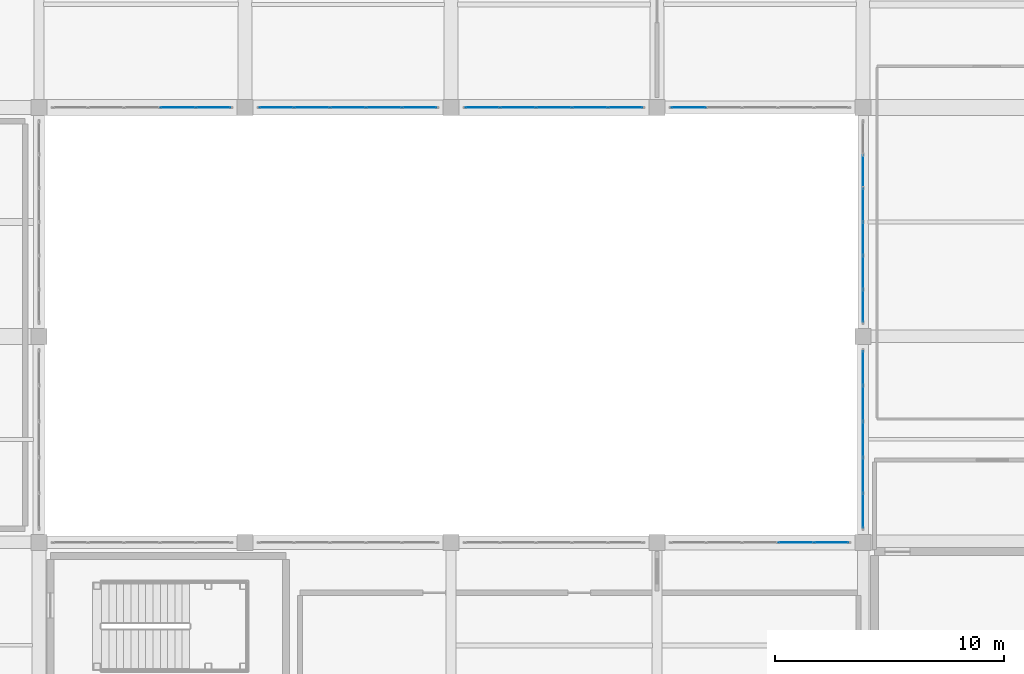
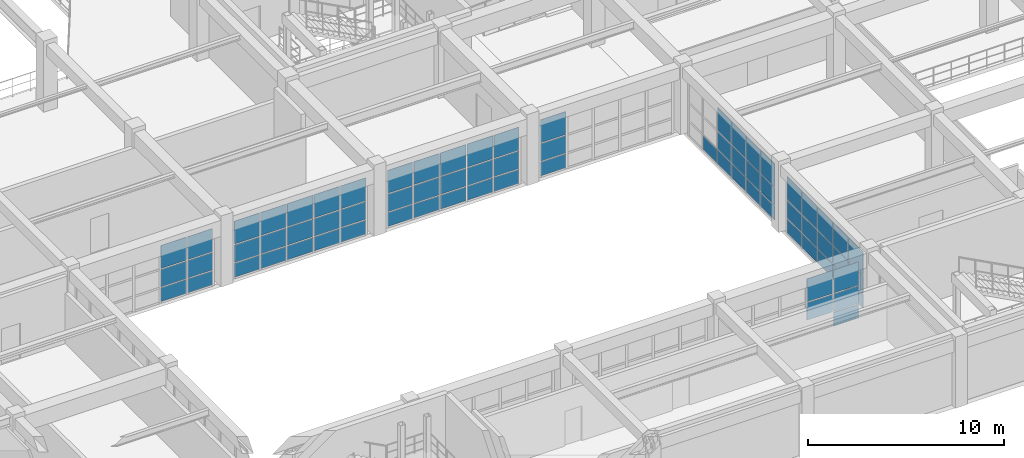
# One storey, part 91 of 133: 72 plates, 7 elements without a shape of their own.
"""IFC4 building model written with IfcOpenShell, lengths in metres."""

from ifc_helpers import new_model, si_unit, direction, frame, origin, origin_2d, place, context, subcontext, project, spatial, rectangle, extrude, material, layer, layer_set, type_object, element, aggregate, save


model = new_model("IFC4")

# Units and contexts
model_context = context("Model", 3, precision=1e-05, world=origin(), true_north=direction((0.0, 1.0)))
body_context = subcontext(model_context, "Body", "Model", "MODEL_VIEW")
ifc_project = project(units=[si_unit("LENGTHUNIT", "METRE"), si_unit("AREAUNIT", "SQUARE_METRE"), si_unit("VOLUMEUNIT", "CUBIC_METRE"), si_unit("PLANEANGLEUNIT", "RADIAN"), si_unit("MASSUNIT", "GRAM", prefix="KILO")], contexts=[model_context])

# Site, building, storey
site_placement = place(None, origin())
site = spatial("IfcSite", under=ifc_project, at=site_placement, CompositionType="ELEMENT")
building_placement = place(site_placement, origin())
building = spatial("IfcBuilding", under=site, at=building_placement, Name="Miravela Opera House", CompositionType="ELEMENT")
storey_placement = place(building_placement, frame((0.0, 0.0, 5.10009765625)))
storey = spatial("IfcBuildingStorey", under=building, at=storey_placement, Name="L01", CompositionType="ELEMENT", Elevation=5.10009765625)

# Curtain wall, plates
ifc_material_1 = material(Name="Anodised architectural bronze aluminium 6063-T6", Category="aluminium")
curtain_wall_type = type_object("IfcCurtainWallType", Name="ARC-CW-06", PredefinedType="NOTDEFINED", material=ifc_material_1)
curtain_wall_1_placement = place(storey_placement, origin())
curtain_wall_1 = element("IfcCurtainWall", 1, at=curtain_wall_1_placement, inside=storey, type_object=curtain_wall_type, Name="Courtyard Arcade Curtain Wall CW-L01-124", PredefinedType="NOTDEFINED")
ifc_material_2 = material(Name="Acoustic laminated low-E insulating glass", Category="glass")
ifc_layer = layer(ifc_material_2, 0.028076171875)
ifc_layer_set = layer_set([ifc_layer])
plate_type = type_object("IfcPlateType", Name="ARC-CWP-28", PredefinedType="CURTAIN_PANEL", material=ifc_layer_set)
plate_1_placement = place(storey_placement, frame((33.068115234375, 28.0, 0.06005859375), z_axis=(0.0, 0.0, 1.0), x_axis=(1.0, 0.0, 0.0)))
plate_1 = element("IfcPlate", 2, at=plate_1_placement, type_object=plate_type, Name="CW-06 panel 4.1", PredefinedType="CURTAIN_PANEL", context=body_context, shape_type="SweptSolid", body=[
    extrude(rectangle(XDim=1.508056640625, YDim=0.028076171875, at=origin_2d()), origin(), (0.0, 0.0, 1.0), 0.860107421875),
])
plate_2_placement = place(storey_placement, frame((33.068115234375, 28.0, 0.97998046875), z_axis=(0.0, 0.0, 1.0), x_axis=(1.0, 0.0, 0.0)))
plate_2 = element("IfcPlate", 3, at=plate_2_placement, type_object=plate_type, Name="CW-06 panel 4.2", PredefinedType="CURTAIN_PANEL", context=body_context, shape_type="SweptSolid", body=[
    extrude(rectangle(XDim=1.508056640625, YDim=0.028076171875, at=origin_2d()), origin(), (0.0, 0.0, 1.0), 1.083740234375),
])
plate_3_placement = place(storey_placement, frame((33.068115234375, 28.0, 2.123779296875), z_axis=(0.0, 0.0, 1.0), x_axis=(1.0, 0.0, 0.0)))
plate_3 = element("IfcPlate", 4, at=plate_3_placement, type_object=plate_type, Name="CW-06 panel 4.3", PredefinedType="CURTAIN_PANEL", context=body_context, shape_type="SweptSolid", body=[
    extrude(rectangle(XDim=1.508056640625, YDim=0.028076171875, at=origin_2d()), origin(), (0.0, 0.0, 1.0), 1.42626953125),
])
plate_4_placement = place(storey_placement, frame((34.62109375, 28.0, 0.06005859375), z_axis=(0.0, 0.0, 1.0), x_axis=(1.0, 0.0, 0.0)))
plate_4 = element("IfcPlate", 5, at=plate_4_placement, type_object=plate_type, Name="CW-06 panel 5.1", PredefinedType="CURTAIN_PANEL", context=body_context, shape_type="SweptSolid", body=[
    extrude(rectangle(XDim=1.47802734375, YDim=0.028076171875, at=origin_2d()), origin(), (0.0, 0.0, 1.0), 0.860107421875),
])
plate_5_placement = place(storey_placement, frame((34.62109375, 28.0, 0.97998046875), z_axis=(0.0, 0.0, 1.0), x_axis=(1.0, 0.0, 0.0)))
plate_5 = element("IfcPlate", 6, at=plate_5_placement, type_object=plate_type, Name="CW-06 panel 5.2", PredefinedType="CURTAIN_PANEL", context=body_context, shape_type="SweptSolid", body=[
    extrude(rectangle(XDim=1.47802734375, YDim=0.028076171875, at=origin_2d()), origin(), (0.0, 0.0, 1.0), 1.083740234375),
])
plate_6_placement = place(storey_placement, frame((34.62109375, 28.0, 2.123779296875), z_axis=(0.0, 0.0, 1.0), x_axis=(1.0, 0.0, 0.0)))
plate_6 = element("IfcPlate", 7, at=plate_6_placement, type_object=plate_type, Name="CW-06 panel 5.3", PredefinedType="CURTAIN_PANEL", context=body_context, shape_type="SweptSolid", body=[
    extrude(rectangle(XDim=1.47802734375, YDim=0.028076171875, at=origin_2d()), origin(), (0.0, 0.0, 1.0), 1.42626953125),
])
aggregate(curtain_wall_1, [plate_1, plate_2, plate_3, plate_4, plate_5, plate_6])

curtain_wall_2_placement = place(storey_placement, origin())
curtain_wall_2 = element("IfcCurtainWall", 8, at=curtain_wall_2_placement, inside=storey, type_object=curtain_wall_type, Name="Courtyard Arcade Curtain Wall CW-L01-126", PredefinedType="NOTDEFINED")
plate_7_placement = place(storey_placement, frame((37.37890625, 28.0, 0.06005859375), z_axis=(0.0, 0.0, 1.0), x_axis=(1.0, 0.0, 0.0)))
plate_7 = element("IfcPlate", 9, at=plate_7_placement, type_object=plate_type, Name="CW-06 panel 1.1", PredefinedType="CURTAIN_PANEL", context=body_context, shape_type="SweptSolid", body=[
    extrude(rectangle(XDim=1.47802734375, YDim=0.028076171875, at=origin_2d()), origin(), (0.0, 0.0, 1.0), 0.860107421875),
])
plate_8_placement = place(storey_placement, frame((37.37890625, 28.0, 0.97998046875), z_axis=(0.0, 0.0, 1.0), x_axis=(1.0, 0.0, 0.0)))
plate_8 = element("IfcPlate", 10, at=plate_8_placement, type_object=plate_type, Name="CW-06 panel 1.2", PredefinedType="CURTAIN_PANEL", context=body_context, shape_type="SweptSolid", body=[
    extrude(rectangle(XDim=1.47802734375, YDim=0.028076171875, at=origin_2d()), origin(), (0.0, 0.0, 1.0), 1.083740234375),
])
plate_9_placement = place(storey_placement, frame((37.37890625, 28.0, 2.123779296875), z_axis=(0.0, 0.0, 1.0), x_axis=(1.0, 0.0, 0.0)))
plate_9 = element("IfcPlate", 11, at=plate_9_placement, type_object=plate_type, Name="CW-06 panel 1.3", PredefinedType="CURTAIN_PANEL", context=body_context, shape_type="SweptSolid", body=[
    extrude(rectangle(XDim=1.47802734375, YDim=0.028076171875, at=origin_2d()), origin(), (0.0, 0.0, 1.0), 1.42626953125),
])
plate_10_placement = place(storey_placement, frame((38.931884765625, 28.0, 0.06005859375), z_axis=(0.0, 0.0, 1.0), x_axis=(1.0, 0.0, 0.0)))
plate_10 = element("IfcPlate", 12, at=plate_10_placement, type_object=plate_type, Name="CW-06 panel 2.1", PredefinedType="CURTAIN_PANEL", context=body_context, shape_type="SweptSolid", body=[
    extrude(rectangle(XDim=1.508056640625, YDim=0.028076171875, at=origin_2d()), origin(), (0.0, 0.0, 1.0), 0.860107421875),
])
plate_11_placement = place(storey_placement, frame((38.931884765625, 28.0, 0.97998046875), z_axis=(0.0, 0.0, 1.0), x_axis=(1.0, 0.0, 0.0)))
plate_11 = element("IfcPlate", 13, at=plate_11_placement, type_object=plate_type, Name="CW-06 panel 2.2", PredefinedType="CURTAIN_PANEL", context=body_context, shape_type="SweptSolid", body=[
    extrude(rectangle(XDim=1.508056640625, YDim=0.028076171875, at=origin_2d()), origin(), (0.0, 0.0, 1.0), 1.083740234375),
])
plate_12_placement = place(storey_placement, frame((38.931884765625, 28.0, 2.123779296875), z_axis=(0.0, 0.0, 1.0), x_axis=(1.0, 0.0, 0.0)))
plate_12 = element("IfcPlate", 14, at=plate_12_placement, type_object=plate_type, Name="CW-06 panel 2.3", PredefinedType="CURTAIN_PANEL", context=body_context, shape_type="SweptSolid", body=[
    extrude(rectangle(XDim=1.508056640625, YDim=0.028076171875, at=origin_2d()), origin(), (0.0, 0.0, 1.0), 1.42626953125),
])
plate_13_placement = place(storey_placement, frame((40.5, 28.0, 0.06005859375), z_axis=(0.0, 0.0, 1.0), x_axis=(1.0, 0.0, 0.0)))
plate_13 = element("IfcPlate", 15, at=plate_13_placement, type_object=plate_type, Name="CW-06 panel 3.1", PredefinedType="CURTAIN_PANEL", context=body_context, shape_type="SweptSolid", body=[
    extrude(rectangle(XDim=1.508056640625, YDim=0.028076171875, at=origin_2d()), origin(), (0.0, 0.0, 1.0), 0.860107421875),
])
plate_14_placement = place(storey_placement, frame((40.5, 28.0, 0.97998046875), z_axis=(0.0, 0.0, 1.0), x_axis=(1.0, 0.0, 0.0)))
plate_14 = element("IfcPlate", 16, at=plate_14_placement, type_object=plate_type, Name="CW-06 panel 3.2", PredefinedType="CURTAIN_PANEL", context=body_context, shape_type="SweptSolid", body=[
    extrude(rectangle(XDim=1.508056640625, YDim=0.028076171875, at=origin_2d()), origin(), (0.0, 0.0, 1.0), 1.083740234375),
])
plate_15_placement = place(storey_placement, frame((40.5, 28.0, 2.123779296875), z_axis=(0.0, 0.0, 1.0), x_axis=(1.0, 0.0, 0.0)))
plate_15 = element("IfcPlate", 17, at=plate_15_placement, type_object=plate_type, Name="CW-06 panel 3.3", PredefinedType="CURTAIN_PANEL", context=body_context, shape_type="SweptSolid", body=[
    extrude(rectangle(XDim=1.508056640625, YDim=0.028076171875, at=origin_2d()), origin(), (0.0, 0.0, 1.0), 1.42626953125),
])
plate_16_placement = place(storey_placement, frame((42.068115234375, 28.0, 0.06005859375), z_axis=(0.0, 0.0, 1.0), x_axis=(1.0, 0.0, 0.0)))
plate_16 = element("IfcPlate", 18, at=plate_16_placement, type_object=plate_type, Name="CW-06 panel 4.1", PredefinedType="CURTAIN_PANEL", context=body_context, shape_type="SweptSolid", body=[
    extrude(rectangle(XDim=1.508056640625, YDim=0.028076171875, at=origin_2d()), origin(), (0.0, 0.0, 1.0), 0.860107421875),
])
plate_17_placement = place(storey_placement, frame((42.068115234375, 28.0, 0.97998046875), z_axis=(0.0, 0.0, 1.0), x_axis=(1.0, 0.0, 0.0)))
plate_17 = element("IfcPlate", 19, at=plate_17_placement, type_object=plate_type, Name="CW-06 panel 4.2", PredefinedType="CURTAIN_PANEL", context=body_context, shape_type="SweptSolid", body=[
    extrude(rectangle(XDim=1.508056640625, YDim=0.028076171875, at=origin_2d()), origin(), (0.0, 0.0, 1.0), 1.083740234375),
])
plate_18_placement = place(storey_placement, frame((42.068115234375, 28.0, 2.123779296875), z_axis=(0.0, 0.0, 1.0), x_axis=(1.0, 0.0, 0.0)))
plate_18 = element("IfcPlate", 20, at=plate_18_placement, type_object=plate_type, Name="CW-06 panel 4.3", PredefinedType="CURTAIN_PANEL", context=body_context, shape_type="SweptSolid", body=[
    extrude(rectangle(XDim=1.508056640625, YDim=0.028076171875, at=origin_2d()), origin(), (0.0, 0.0, 1.0), 1.42626953125),
])
plate_19_placement = place(storey_placement, frame((43.62109375, 28.0, 0.06005859375), z_axis=(0.0, 0.0, 1.0), x_axis=(1.0, 0.0, 0.0)))
plate_19 = element("IfcPlate", 21, at=plate_19_placement, type_object=plate_type, Name="CW-06 panel 5.1", PredefinedType="CURTAIN_PANEL", context=body_context, shape_type="SweptSolid", body=[
    extrude(rectangle(XDim=1.47802734375, YDim=0.028076171875, at=origin_2d()), origin(), (0.0, 0.0, 1.0), 0.860107421875),
])
plate_20_placement = place(storey_placement, frame((43.62109375, 28.0, 0.97998046875), z_axis=(0.0, 0.0, 1.0), x_axis=(1.0, 0.0, 0.0)))
plate_20 = element("IfcPlate", 22, at=plate_20_placement, type_object=plate_type, Name="CW-06 panel 5.2", PredefinedType="CURTAIN_PANEL", context=body_context, shape_type="SweptSolid", body=[
    extrude(rectangle(XDim=1.47802734375, YDim=0.028076171875, at=origin_2d()), origin(), (0.0, 0.0, 1.0), 1.083740234375),
])
plate_21_placement = place(storey_placement, frame((43.62109375, 28.0, 2.123779296875), z_axis=(0.0, 0.0, 1.0), x_axis=(1.0, 0.0, 0.0)))
plate_21 = element("IfcPlate", 23, at=plate_21_placement, type_object=plate_type, Name="CW-06 panel 5.3", PredefinedType="CURTAIN_PANEL", context=body_context, shape_type="SweptSolid", body=[
    extrude(rectangle(XDim=1.47802734375, YDim=0.028076171875, at=origin_2d()), origin(), (0.0, 0.0, 1.0), 1.42626953125),
])
aggregate(curtain_wall_2, [plate_7, plate_8, plate_9, plate_10, plate_11, plate_12, plate_13, plate_14, plate_15, plate_16, plate_17, plate_18, plate_19, plate_20, plate_21])

curtain_wall_3_placement = place(storey_placement, origin())
curtain_wall_3 = element("IfcCurtainWall", 24, at=curtain_wall_3_placement, inside=storey, type_object=curtain_wall_type, Name="Courtyard Arcade Curtain Wall CW-L01-128", PredefinedType="NOTDEFINED")
plate_22_placement = place(storey_placement, frame((46.37890625, 28.0, 0.06005859375), z_axis=(0.0, 0.0, 1.0), x_axis=(1.0, 0.0, 0.0)))
plate_22 = element("IfcPlate", 25, at=plate_22_placement, type_object=plate_type, Name="CW-06 panel 1.1", PredefinedType="CURTAIN_PANEL", context=body_context, shape_type="SweptSolid", body=[
    extrude(rectangle(XDim=1.47802734375, YDim=0.028076171875, at=origin_2d()), origin(), (0.0, 0.0, 1.0), 0.860107421875),
])
plate_23_placement = place(storey_placement, frame((46.37890625, 28.0, 0.97998046875), z_axis=(0.0, 0.0, 1.0), x_axis=(1.0, 0.0, 0.0)))
plate_23 = element("IfcPlate", 26, at=plate_23_placement, type_object=plate_type, Name="CW-06 panel 1.2", PredefinedType="CURTAIN_PANEL", context=body_context, shape_type="SweptSolid", body=[
    extrude(rectangle(XDim=1.47802734375, YDim=0.028076171875, at=origin_2d()), origin(), (0.0, 0.0, 1.0), 1.083740234375),
])
plate_24_placement = place(storey_placement, frame((46.37890625, 28.0, 2.123779296875), z_axis=(0.0, 0.0, 1.0), x_axis=(1.0, 0.0, 0.0)))
plate_24 = element("IfcPlate", 27, at=plate_24_placement, type_object=plate_type, Name="CW-06 panel 1.3", PredefinedType="CURTAIN_PANEL", context=body_context, shape_type="SweptSolid", body=[
    extrude(rectangle(XDim=1.47802734375, YDim=0.028076171875, at=origin_2d()), origin(), (0.0, 0.0, 1.0), 1.42626953125),
])
plate_25_placement = place(storey_placement, frame((47.931884765625, 28.0, 0.06005859375), z_axis=(0.0, 0.0, 1.0), x_axis=(1.0, 0.0, 0.0)))
plate_25 = element("IfcPlate", 28, at=plate_25_placement, type_object=plate_type, Name="CW-06 panel 2.1", PredefinedType="CURTAIN_PANEL", context=body_context, shape_type="SweptSolid", body=[
    extrude(rectangle(XDim=1.508056640625, YDim=0.028076171875, at=origin_2d()), origin(), (0.0, 0.0, 1.0), 0.860107421875),
])
plate_26_placement = place(storey_placement, frame((47.931884765625, 28.0, 0.97998046875), z_axis=(0.0, 0.0, 1.0), x_axis=(1.0, 0.0, 0.0)))
plate_26 = element("IfcPlate", 29, at=plate_26_placement, type_object=plate_type, Name="CW-06 panel 2.2", PredefinedType="CURTAIN_PANEL", context=body_context, shape_type="SweptSolid", body=[
    extrude(rectangle(XDim=1.508056640625, YDim=0.028076171875, at=origin_2d()), origin(), (0.0, 0.0, 1.0), 1.083740234375),
])
plate_27_placement = place(storey_placement, frame((47.931884765625, 28.0, 2.123779296875), z_axis=(0.0, 0.0, 1.0), x_axis=(1.0, 0.0, 0.0)))
plate_27 = element("IfcPlate", 30, at=plate_27_placement, type_object=plate_type, Name="CW-06 panel 2.3", PredefinedType="CURTAIN_PANEL", context=body_context, shape_type="SweptSolid", body=[
    extrude(rectangle(XDim=1.508056640625, YDim=0.028076171875, at=origin_2d()), origin(), (0.0, 0.0, 1.0), 1.42626953125),
])
plate_28_placement = place(storey_placement, frame((49.5, 28.0, 0.06005859375), z_axis=(0.0, 0.0, 1.0), x_axis=(1.0, 0.0, 0.0)))
plate_28 = element("IfcPlate", 31, at=plate_28_placement, type_object=plate_type, Name="CW-06 panel 3.1", PredefinedType="CURTAIN_PANEL", context=body_context, shape_type="SweptSolid", body=[
    extrude(rectangle(XDim=1.508056640625, YDim=0.028076171875, at=origin_2d()), origin(), (0.0, 0.0, 1.0), 0.860107421875),
])
plate_29_placement = place(storey_placement, frame((49.5, 28.0, 0.97998046875), z_axis=(0.0, 0.0, 1.0), x_axis=(1.0, 0.0, 0.0)))
plate_29 = element("IfcPlate", 32, at=plate_29_placement, type_object=plate_type, Name="CW-06 panel 3.2", PredefinedType="CURTAIN_PANEL", context=body_context, shape_type="SweptSolid", body=[
    extrude(rectangle(XDim=1.508056640625, YDim=0.028076171875, at=origin_2d()), origin(), (0.0, 0.0, 1.0), 1.083740234375),
])
plate_30_placement = place(storey_placement, frame((49.5, 28.0, 2.123779296875), z_axis=(0.0, 0.0, 1.0), x_axis=(1.0, 0.0, 0.0)))
plate_30 = element("IfcPlate", 33, at=plate_30_placement, type_object=plate_type, Name="CW-06 panel 3.3", PredefinedType="CURTAIN_PANEL", context=body_context, shape_type="SweptSolid", body=[
    extrude(rectangle(XDim=1.508056640625, YDim=0.028076171875, at=origin_2d()), origin(), (0.0, 0.0, 1.0), 1.42626953125),
])
plate_31_placement = place(storey_placement, frame((51.068115234375, 28.0, 0.06005859375), z_axis=(0.0, 0.0, 1.0), x_axis=(1.0, 0.0, 0.0)))
plate_31 = element("IfcPlate", 34, at=plate_31_placement, type_object=plate_type, Name="CW-06 panel 4.1", PredefinedType="CURTAIN_PANEL", context=body_context, shape_type="SweptSolid", body=[
    extrude(rectangle(XDim=1.508056640625, YDim=0.028076171875, at=origin_2d()), origin(), (0.0, 0.0, 1.0), 0.860107421875),
])
plate_32_placement = place(storey_placement, frame((51.068115234375, 28.0, 0.97998046875), z_axis=(0.0, 0.0, 1.0), x_axis=(1.0, 0.0, 0.0)))
plate_32 = element("IfcPlate", 35, at=plate_32_placement, type_object=plate_type, Name="CW-06 panel 4.2", PredefinedType="CURTAIN_PANEL", context=body_context, shape_type="SweptSolid", body=[
    extrude(rectangle(XDim=1.508056640625, YDim=0.028076171875, at=origin_2d()), origin(), (0.0, 0.0, 1.0), 1.083740234375),
])
plate_33_placement = place(storey_placement, frame((51.068115234375, 28.0, 2.123779296875), z_axis=(0.0, 0.0, 1.0), x_axis=(1.0, 0.0, 0.0)))
plate_33 = element("IfcPlate", 36, at=plate_33_placement, type_object=plate_type, Name="CW-06 panel 4.3", PredefinedType="CURTAIN_PANEL", context=body_context, shape_type="SweptSolid", body=[
    extrude(rectangle(XDim=1.508056640625, YDim=0.028076171875, at=origin_2d()), origin(), (0.0, 0.0, 1.0), 1.42626953125),
])
plate_34_placement = place(storey_placement, frame((52.62109375, 28.0, 0.06005859375), z_axis=(0.0, 0.0, 1.0), x_axis=(1.0, 0.0, 0.0)))
plate_34 = element("IfcPlate", 37, at=plate_34_placement, type_object=plate_type, Name="CW-06 panel 5.1", PredefinedType="CURTAIN_PANEL", context=body_context, shape_type="SweptSolid", body=[
    extrude(rectangle(XDim=1.47802734375, YDim=0.028076171875, at=origin_2d()), origin(), (0.0, 0.0, 1.0), 0.860107421875),
])
plate_35_placement = place(storey_placement, frame((52.62109375, 28.0, 0.97998046875), z_axis=(0.0, 0.0, 1.0), x_axis=(1.0, 0.0, 0.0)))
plate_35 = element("IfcPlate", 38, at=plate_35_placement, type_object=plate_type, Name="CW-06 panel 5.2", PredefinedType="CURTAIN_PANEL", context=body_context, shape_type="SweptSolid", body=[
    extrude(rectangle(XDim=1.47802734375, YDim=0.028076171875, at=origin_2d()), origin(), (0.0, 0.0, 1.0), 1.083740234375),
])
plate_36_placement = place(storey_placement, frame((52.62109375, 28.0, 2.123779296875), z_axis=(0.0, 0.0, 1.0), x_axis=(1.0, 0.0, 0.0)))
plate_36 = element("IfcPlate", 39, at=plate_36_placement, type_object=plate_type, Name="CW-06 panel 5.3", PredefinedType="CURTAIN_PANEL", context=body_context, shape_type="SweptSolid", body=[
    extrude(rectangle(XDim=1.47802734375, YDim=0.028076171875, at=origin_2d()), origin(), (0.0, 0.0, 1.0), 1.42626953125),
])
aggregate(curtain_wall_3, [plate_22, plate_23, plate_24, plate_25, plate_26, plate_27, plate_28, plate_29, plate_30, plate_31, plate_32, plate_33, plate_34, plate_35, plate_36])

curtain_wall_4_placement = place(storey_placement, origin())
curtain_wall_4 = element("IfcCurtainWall", 40, at=curtain_wall_4_placement, inside=storey, type_object=curtain_wall_type, Name="Courtyard Arcade Curtain Wall CW-L01-130", PredefinedType="NOTDEFINED")
plate_37_placement = place(storey_placement, frame((55.37890625, 28.0, 0.06005859375), z_axis=(0.0, 0.0, 1.0), x_axis=(1.0, 0.0, 0.0)))
plate_37 = element("IfcPlate", 41, at=plate_37_placement, type_object=plate_type, Name="CW-06 panel 1.1", PredefinedType="CURTAIN_PANEL", context=body_context, shape_type="SweptSolid", body=[
    extrude(rectangle(XDim=1.47802734375, YDim=0.028076171875, at=origin_2d()), origin(), (0.0, 0.0, 1.0), 0.860107421875),
])
plate_38_placement = place(storey_placement, frame((55.37890625, 28.0, 0.97998046875), z_axis=(0.0, 0.0, 1.0), x_axis=(1.0, 0.0, 0.0)))
plate_38 = element("IfcPlate", 42, at=plate_38_placement, type_object=plate_type, Name="CW-06 panel 1.2", PredefinedType="CURTAIN_PANEL", context=body_context, shape_type="SweptSolid", body=[
    extrude(rectangle(XDim=1.47802734375, YDim=0.028076171875, at=origin_2d()), origin(), (0.0, 0.0, 1.0), 1.083740234375),
])
plate_39_placement = place(storey_placement, frame((55.37890625, 28.0, 2.123779296875), z_axis=(0.0, 0.0, 1.0), x_axis=(1.0, 0.0, 0.0)))
plate_39 = element("IfcPlate", 43, at=plate_39_placement, type_object=plate_type, Name="CW-06 panel 1.3", PredefinedType="CURTAIN_PANEL", context=body_context, shape_type="SweptSolid", body=[
    extrude(rectangle(XDim=1.47802734375, YDim=0.028076171875, at=origin_2d()), origin(), (0.0, 0.0, 1.0), 1.42626953125),
])
aggregate(curtain_wall_4, [plate_37, plate_38, plate_39])

curtain_wall_5_placement = place(storey_placement, origin())
curtain_wall_5 = element("IfcCurtainWall", 44, at=curtain_wall_5_placement, inside=storey, type_object=curtain_wall_type, Name="Courtyard Arcade Curtain Wall CW-L01-131", PredefinedType="NOTDEFINED")
plate_40_placement = place(storey_placement, frame((60.068115234375, 9.0, 0.97998046875), z_axis=(0.0, 0.0, 1.0), x_axis=(1.0, 0.0, 0.0)))
plate_40 = element("IfcPlate", 45, at=plate_40_placement, type_object=plate_type, Name="CW-06 panel 4.2", PredefinedType="CURTAIN_PANEL", context=body_context, shape_type="SweptSolid", body=[
    extrude(rectangle(XDim=1.508056640625, YDim=0.028076171875, at=origin_2d()), origin(), (0.0, 0.0, 1.0), 1.083740234375),
])
plate_41_placement = place(storey_placement, frame((60.068115234375, 9.0, 2.123779296875), z_axis=(0.0, 0.0, 1.0), x_axis=(1.0, 0.0, 0.0)))
plate_41 = element("IfcPlate", 46, at=plate_41_placement, type_object=plate_type, Name="CW-06 panel 4.3", PredefinedType="CURTAIN_PANEL", context=body_context, shape_type="SweptSolid", body=[
    extrude(rectangle(XDim=1.508056640625, YDim=0.028076171875, at=origin_2d()), origin(), (0.0, 0.0, 1.0), 1.42626953125),
])
plate_42_placement = place(storey_placement, frame((61.62109375, 9.0, 0.06005859375), z_axis=(0.0, 0.0, 1.0), x_axis=(1.0, 0.0, 0.0)))
plate_42 = element("IfcPlate", 47, at=plate_42_placement, type_object=plate_type, Name="CW-06 panel 5.1", PredefinedType="CURTAIN_PANEL", context=body_context, shape_type="SweptSolid", body=[
    extrude(rectangle(XDim=1.47802734375, YDim=0.028076171875, at=origin_2d()), origin(), (0.0, 0.0, 1.0), 0.860107421875),
])
plate_43_placement = place(storey_placement, frame((61.62109375, 9.0, 0.97998046875), z_axis=(0.0, 0.0, 1.0), x_axis=(1.0, 0.0, 0.0)))
plate_43 = element("IfcPlate", 48, at=plate_43_placement, type_object=plate_type, Name="CW-06 panel 5.2", PredefinedType="CURTAIN_PANEL", context=body_context, shape_type="SweptSolid", body=[
    extrude(rectangle(XDim=1.47802734375, YDim=0.028076171875, at=origin_2d()), origin(), (0.0, 0.0, 1.0), 1.083740234375),
])
plate_44_placement = place(storey_placement, frame((61.62109375, 9.0, 2.123779296875), z_axis=(0.0, 0.0, 1.0), x_axis=(1.0, 0.0, 0.0)))
plate_44 = element("IfcPlate", 49, at=plate_44_placement, type_object=plate_type, Name="CW-06 panel 5.3", PredefinedType="CURTAIN_PANEL", context=body_context, shape_type="SweptSolid", body=[
    extrude(rectangle(XDim=1.47802734375, YDim=0.028076171875, at=origin_2d()), origin(), (0.0, 0.0, 1.0), 1.42626953125),
])
aggregate(curtain_wall_5, [plate_40, plate_41, plate_42, plate_43, plate_44])

curtain_wall_6_placement = place(storey_placement, origin())
curtain_wall_6 = element("IfcCurtainWall", 50, at=curtain_wall_6_placement, inside=storey, type_object=curtain_wall_type, Name="Courtyard Arcade Curtain Wall CW-L01-134", PredefinedType="NOTDEFINED")
plate_45_placement = place(storey_placement, frame((63.0, 10.37890625, 0.06005859375), z_axis=(0.0, 0.0, 1.0), x_axis=(0.0, 1.0, 0.0)))
plate_45 = element("IfcPlate", 51, at=plate_45_placement, type_object=plate_type, Name="CW-06 panel 1.1", PredefinedType="CURTAIN_PANEL", context=body_context, shape_type="SweptSolid", body=[
    extrude(rectangle(XDim=1.47802734375, YDim=0.028076171875, at=origin_2d()), origin(), (0.0, 0.0, 1.0), 0.860107421875),
])
plate_46_placement = place(storey_placement, frame((63.0, 10.37890625, 0.97998046875), z_axis=(0.0, 0.0, 1.0), x_axis=(0.0, 1.0, 0.0)))
plate_46 = element("IfcPlate", 52, at=plate_46_placement, type_object=plate_type, Name="CW-06 panel 1.2", PredefinedType="CURTAIN_PANEL", context=body_context, shape_type="SweptSolid", body=[
    extrude(rectangle(XDim=1.47802734375, YDim=0.028076171875, at=origin_2d()), origin(), (0.0, 0.0, 1.0), 1.083740234375),
])
plate_47_placement = place(storey_placement, frame((63.0, 10.37890625, 2.123779296875), z_axis=(0.0, 0.0, 1.0), x_axis=(0.0, 1.0, 0.0)))
plate_47 = element("IfcPlate", 53, at=plate_47_placement, type_object=plate_type, Name="CW-06 panel 1.3", PredefinedType="CURTAIN_PANEL", context=body_context, shape_type="SweptSolid", body=[
    extrude(rectangle(XDim=1.47802734375, YDim=0.028076171875, at=origin_2d()), origin(), (0.0, 0.0, 1.0), 1.42626953125),
])
plate_48_placement = place(storey_placement, frame((63.0, 11.931884765625, 0.06005859375), z_axis=(0.0, 0.0, 1.0), x_axis=(0.0, 1.0, 0.0)))
plate_48 = element("IfcPlate", 54, at=plate_48_placement, type_object=plate_type, Name="CW-06 panel 2.1", PredefinedType="CURTAIN_PANEL", context=body_context, shape_type="SweptSolid", body=[
    extrude(rectangle(XDim=1.508056640625, YDim=0.028076171875, at=origin_2d()), origin(), (0.0, 0.0, 1.0), 0.860107421875),
])
plate_49_placement = place(storey_placement, frame((63.0, 11.931884765625, 0.97998046875), z_axis=(0.0, 0.0, 1.0), x_axis=(0.0, 1.0, 0.0)))
plate_49 = element("IfcPlate", 55, at=plate_49_placement, type_object=plate_type, Name="CW-06 panel 2.2", PredefinedType="CURTAIN_PANEL", context=body_context, shape_type="SweptSolid", body=[
    extrude(rectangle(XDim=1.508056640625, YDim=0.028076171875, at=origin_2d()), origin(), (0.0, 0.0, 1.0), 1.083740234375),
])
plate_50_placement = place(storey_placement, frame((63.0, 11.931884765625, 2.123779296875), z_axis=(0.0, 0.0, 1.0), x_axis=(0.0, 1.0, 0.0)))
plate_50 = element("IfcPlate", 56, at=plate_50_placement, type_object=plate_type, Name="CW-06 panel 2.3", PredefinedType="CURTAIN_PANEL", context=body_context, shape_type="SweptSolid", body=[
    extrude(rectangle(XDim=1.508056640625, YDim=0.028076171875, at=origin_2d()), origin(), (0.0, 0.0, 1.0), 1.42626953125),
])
plate_51_placement = place(storey_placement, frame((63.0, 13.5, 0.06005859375), z_axis=(0.0, 0.0, 1.0), x_axis=(0.0, 1.0, 0.0)))
plate_51 = element("IfcPlate", 57, at=plate_51_placement, type_object=plate_type, Name="CW-06 panel 3.1", PredefinedType="CURTAIN_PANEL", context=body_context, shape_type="SweptSolid", body=[
    extrude(rectangle(XDim=1.508056640625, YDim=0.028076171875, at=origin_2d()), origin(), (0.0, 0.0, 1.0), 0.860107421875),
])
plate_52_placement = place(storey_placement, frame((63.0, 13.5, 0.97998046875), z_axis=(0.0, 0.0, 1.0), x_axis=(0.0, 1.0, 0.0)))
plate_52 = element("IfcPlate", 58, at=plate_52_placement, type_object=plate_type, Name="CW-06 panel 3.2", PredefinedType="CURTAIN_PANEL", context=body_context, shape_type="SweptSolid", body=[
    extrude(rectangle(XDim=1.508056640625, YDim=0.028076171875, at=origin_2d()), origin(), (0.0, 0.0, 1.0), 1.083740234375),
])
plate_53_placement = place(storey_placement, frame((63.0, 13.5, 2.123779296875), z_axis=(0.0, 0.0, 1.0), x_axis=(0.0, 1.0, 0.0)))
plate_53 = element("IfcPlate", 59, at=plate_53_placement, type_object=plate_type, Name="CW-06 panel 3.3", PredefinedType="CURTAIN_PANEL", context=body_context, shape_type="SweptSolid", body=[
    extrude(rectangle(XDim=1.508056640625, YDim=0.028076171875, at=origin_2d()), origin(), (0.0, 0.0, 1.0), 1.42626953125),
])
plate_54_placement = place(storey_placement, frame((63.0, 15.068115234375, 0.06005859375), z_axis=(0.0, 0.0, 1.0), x_axis=(0.0, 1.0, 0.0)))
plate_54 = element("IfcPlate", 60, at=plate_54_placement, type_object=plate_type, Name="CW-06 panel 4.1", PredefinedType="CURTAIN_PANEL", context=body_context, shape_type="SweptSolid", body=[
    extrude(rectangle(XDim=1.508056640625, YDim=0.028076171875, at=origin_2d()), origin(), (0.0, 0.0, 1.0), 0.860107421875),
])
plate_55_placement = place(storey_placement, frame((63.0, 15.068115234375, 0.97998046875), z_axis=(0.0, 0.0, 1.0), x_axis=(0.0, 1.0, 0.0)))
plate_55 = element("IfcPlate", 61, at=plate_55_placement, type_object=plate_type, Name="CW-06 panel 4.2", PredefinedType="CURTAIN_PANEL", context=body_context, shape_type="SweptSolid", body=[
    extrude(rectangle(XDim=1.508056640625, YDim=0.028076171875, at=origin_2d()), origin(), (0.0, 0.0, 1.0), 1.083740234375),
])
plate_56_placement = place(storey_placement, frame((63.0, 15.068115234375, 2.123779296875), z_axis=(0.0, 0.0, 1.0), x_axis=(0.0, 1.0, 0.0)))
plate_56 = element("IfcPlate", 62, at=plate_56_placement, type_object=plate_type, Name="CW-06 panel 4.3", PredefinedType="CURTAIN_PANEL", context=body_context, shape_type="SweptSolid", body=[
    extrude(rectangle(XDim=1.508056640625, YDim=0.028076171875, at=origin_2d()), origin(), (0.0, 0.0, 1.0), 1.42626953125),
])
plate_57_placement = place(storey_placement, frame((63.0, 16.62109375, 0.06005859375), z_axis=(0.0, 0.0, 1.0), x_axis=(0.0, 1.0, 0.0)))
plate_57 = element("IfcPlate", 63, at=plate_57_placement, type_object=plate_type, Name="CW-06 panel 5.1", PredefinedType="CURTAIN_PANEL", context=body_context, shape_type="SweptSolid", body=[
    extrude(rectangle(XDim=1.47802734375, YDim=0.028076171875, at=origin_2d()), origin(), (0.0, 0.0, 1.0), 0.860107421875),
])
plate_58_placement = place(storey_placement, frame((63.0, 16.62109375, 0.97998046875), z_axis=(0.0, 0.0, 1.0), x_axis=(0.0, 1.0, 0.0)))
plate_58 = element("IfcPlate", 64, at=plate_58_placement, type_object=plate_type, Name="CW-06 panel 5.2", PredefinedType="CURTAIN_PANEL", context=body_context, shape_type="SweptSolid", body=[
    extrude(rectangle(XDim=1.47802734375, YDim=0.028076171875, at=origin_2d()), origin(), (0.0, 0.0, 1.0), 1.083740234375),
])
plate_59_placement = place(storey_placement, frame((63.0, 16.62109375, 2.123779296875), z_axis=(0.0, 0.0, 1.0), x_axis=(0.0, 1.0, 0.0)))
plate_59 = element("IfcPlate", 65, at=plate_59_placement, type_object=plate_type, Name="CW-06 panel 5.3", PredefinedType="CURTAIN_PANEL", context=body_context, shape_type="SweptSolid", body=[
    extrude(rectangle(XDim=1.47802734375, YDim=0.028076171875, at=origin_2d()), origin(), (0.0, 0.0, 1.0), 1.42626953125),
])
aggregate(curtain_wall_6, [plate_45, plate_46, plate_47, plate_48, plate_49, plate_50, plate_51, plate_52, plate_53, plate_54, plate_55, plate_56, plate_57, plate_58, plate_59])

curtain_wall_7_placement = place(storey_placement, origin())
curtain_wall_7 = element("IfcCurtainWall", 66, at=curtain_wall_7_placement, inside=storey, type_object=curtain_wall_type, Name="Courtyard Arcade Curtain Wall CW-L01-135", PredefinedType="NOTDEFINED")
plate_60_placement = place(storey_placement, frame((63.0, 19.331787109375, 0.06005859375), z_axis=(0.0, 0.0, 1.0), x_axis=(0.0, 1.0, 0.0)))
plate_60 = element("IfcPlate", 67, at=plate_60_placement, type_object=plate_type, Name="CW-06 panel 1.1", PredefinedType="CURTAIN_PANEL", context=body_context, shape_type="SweptSolid", body=[
    extrude(rectangle(XDim=1.38330078125, YDim=0.028076171875, at=origin_2d()), origin(), (0.0, 0.0, 1.0), 0.860107421875),
])
plate_61_placement = place(storey_placement, frame((63.0, 19.331787109375, 0.97998046875), z_axis=(0.0, 0.0, 1.0), x_axis=(0.0, 1.0, 0.0)))
plate_61 = element("IfcPlate", 68, at=plate_61_placement, type_object=plate_type, Name="CW-06 panel 1.2", PredefinedType="CURTAIN_PANEL", context=body_context, shape_type="SweptSolid", body=[
    extrude(rectangle(XDim=1.38330078125, YDim=0.028076171875, at=origin_2d()), origin(), (0.0, 0.0, 1.0), 1.083740234375),
])
plate_62_placement = place(storey_placement, frame((63.0, 19.331787109375, 2.123779296875), z_axis=(0.0, 0.0, 1.0), x_axis=(0.0, 1.0, 0.0)))
plate_62 = element("IfcPlate", 69, at=plate_62_placement, type_object=plate_type, Name="CW-06 panel 1.3", PredefinedType="CURTAIN_PANEL", context=body_context, shape_type="SweptSolid", body=[
    extrude(rectangle(XDim=1.38330078125, YDim=0.028076171875, at=origin_2d()), origin(), (0.0, 0.0, 1.0), 1.42626953125),
])
plate_63_placement = place(storey_placement, frame((63.0, 20.7900390625, 0.06005859375), z_axis=(0.0, 0.0, 1.0), x_axis=(0.0, 1.0, 0.0)))
plate_63 = element("IfcPlate", 70, at=plate_63_placement, type_object=plate_type, Name="CW-06 panel 2.1", PredefinedType="CURTAIN_PANEL", context=body_context, shape_type="SweptSolid", body=[
    extrude(rectangle(XDim=1.413330078125, YDim=0.028076171875, at=origin_2d()), origin(), (0.0, 0.0, 1.0), 0.860107421875),
])
plate_64_placement = place(storey_placement, frame((63.0, 20.7900390625, 0.97998046875), z_axis=(0.0, 0.0, 1.0), x_axis=(0.0, 1.0, 0.0)))
plate_64 = element("IfcPlate", 71, at=plate_64_placement, type_object=plate_type, Name="CW-06 panel 2.2", PredefinedType="CURTAIN_PANEL", context=body_context, shape_type="SweptSolid", body=[
    extrude(rectangle(XDim=1.413330078125, YDim=0.028076171875, at=origin_2d()), origin(), (0.0, 0.0, 1.0), 1.083740234375),
])
plate_65_placement = place(storey_placement, frame((63.0, 20.7900390625, 2.123779296875), z_axis=(0.0, 0.0, 1.0), x_axis=(0.0, 1.0, 0.0)))
plate_65 = element("IfcPlate", 72, at=plate_65_placement, type_object=plate_type, Name="CW-06 panel 2.3", PredefinedType="CURTAIN_PANEL", context=body_context, shape_type="SweptSolid", body=[
    extrude(rectangle(XDim=1.413330078125, YDim=0.028076171875, at=origin_2d()), origin(), (0.0, 0.0, 1.0), 1.42626953125),
])
plate_66_placement = place(storey_placement, frame((63.0, 22.263427734375, 0.06005859375), z_axis=(0.0, 0.0, 1.0), x_axis=(0.0, 1.0, 0.0)))
plate_66 = element("IfcPlate", 73, at=plate_66_placement, type_object=plate_type, Name="CW-06 panel 3.1", PredefinedType="CURTAIN_PANEL", context=body_context, shape_type="SweptSolid", body=[
    extrude(rectangle(XDim=1.413330078125, YDim=0.028076171875, at=origin_2d()), origin(), (0.0, 0.0, 1.0), 0.860107421875),
])
plate_67_placement = place(storey_placement, frame((63.0, 22.263427734375, 0.97998046875), z_axis=(0.0, 0.0, 1.0), x_axis=(0.0, 1.0, 0.0)))
plate_67 = element("IfcPlate", 74, at=plate_67_placement, type_object=plate_type, Name="CW-06 panel 3.2", PredefinedType="CURTAIN_PANEL", context=body_context, shape_type="SweptSolid", body=[
    extrude(rectangle(XDim=1.413330078125, YDim=0.028076171875, at=origin_2d()), origin(), (0.0, 0.0, 1.0), 1.083740234375),
])
plate_68_placement = place(storey_placement, frame((63.0, 22.263427734375, 2.123779296875), z_axis=(0.0, 0.0, 1.0), x_axis=(0.0, 1.0, 0.0)))
plate_68 = element("IfcPlate", 75, at=plate_68_placement, type_object=plate_type, Name="CW-06 panel 3.3", PredefinedType="CURTAIN_PANEL", context=body_context, shape_type="SweptSolid", body=[
    extrude(rectangle(XDim=1.413330078125, YDim=0.028076171875, at=origin_2d()), origin(), (0.0, 0.0, 1.0), 1.42626953125),
])
plate_69_placement = place(storey_placement, frame((63.0, 23.736572265625, 0.06005859375), z_axis=(0.0, 0.0, 1.0), x_axis=(0.0, 1.0, 0.0)))
plate_69 = element("IfcPlate", 76, at=plate_69_placement, type_object=plate_type, Name="CW-06 panel 4.1", PredefinedType="CURTAIN_PANEL", context=body_context, shape_type="SweptSolid", body=[
    extrude(rectangle(XDim=1.413330078125, YDim=0.028076171875, at=origin_2d()), origin(), (0.0, 0.0, 1.0), 0.860107421875),
])
plate_70_placement = place(storey_placement, frame((63.0, 23.736572265625, 0.97998046875), z_axis=(0.0, 0.0, 1.0), x_axis=(0.0, 1.0, 0.0)))
plate_70 = element("IfcPlate", 77, at=plate_70_placement, type_object=plate_type, Name="CW-06 panel 4.2", PredefinedType="CURTAIN_PANEL", context=body_context, shape_type="SweptSolid", body=[
    extrude(rectangle(XDim=1.413330078125, YDim=0.028076171875, at=origin_2d()), origin(), (0.0, 0.0, 1.0), 1.083740234375),
])
plate_71_placement = place(storey_placement, frame((63.0, 23.736572265625, 2.123779296875), z_axis=(0.0, 0.0, 1.0), x_axis=(0.0, 1.0, 0.0)))
plate_71 = element("IfcPlate", 78, at=plate_71_placement, type_object=plate_type, Name="CW-06 panel 4.3", PredefinedType="CURTAIN_PANEL", context=body_context, shape_type="SweptSolid", body=[
    extrude(rectangle(XDim=1.413330078125, YDim=0.028076171875, at=origin_2d()), origin(), (0.0, 0.0, 1.0), 1.42626953125),
])
plate_72_placement = place(storey_placement, frame((63.0, 25.2099609375, 0.06005859375), z_axis=(0.0, 0.0, 1.0), x_axis=(0.0, 1.0, 0.0)))
plate_72 = element("IfcPlate", 79, at=plate_72_placement, type_object=plate_type, Name="CW-06 panel 5.1", PredefinedType="CURTAIN_PANEL", context=body_context, shape_type="SweptSolid", body=[
    extrude(rectangle(XDim=1.413330078125, YDim=0.028076171875, at=origin_2d()), origin(), (0.0, 0.0, 1.0), 0.860107421875),
])
aggregate(curtain_wall_7, [plate_60, plate_61, plate_62, plate_63, plate_64, plate_65, plate_66, plate_67, plate_68, plate_69, plate_70, plate_71, plate_72])

save(model, "model.ifc")
